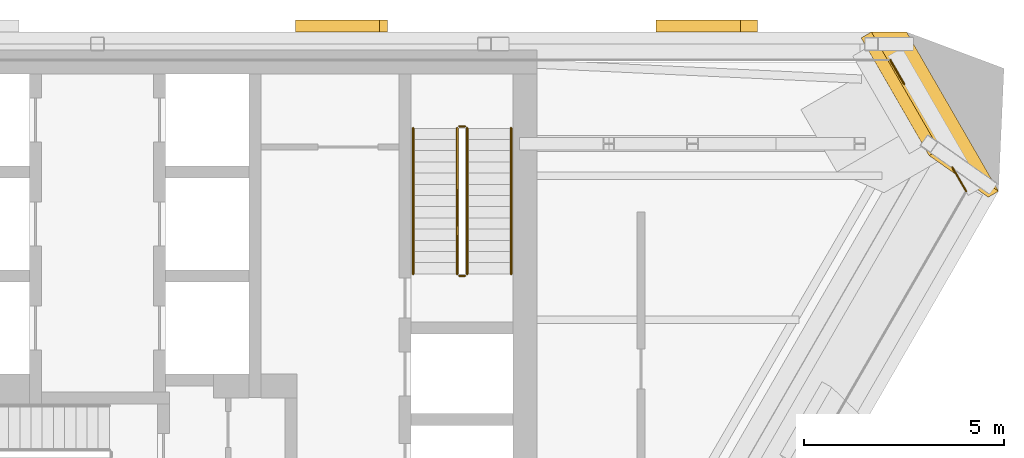
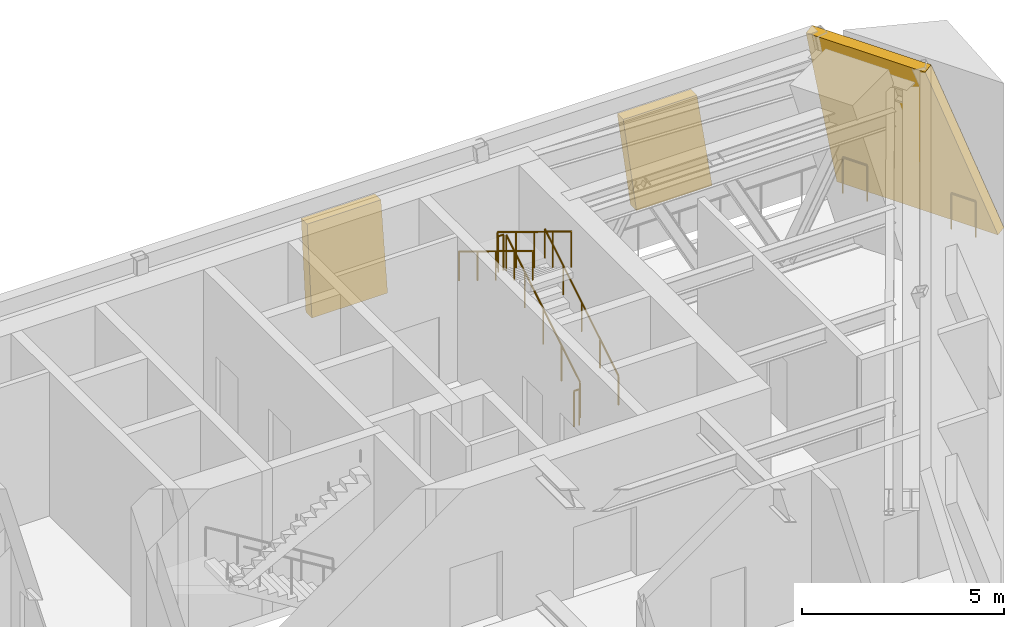
# One storey, part 11 of 11: 8 railings, 2 shading devices, 1 covering.
"""IFC4 building model written with IfcOpenShell, lengths in metres."""

from ifc_helpers import new_model, si_unit, direction, frame, origin, origin_2d, place, context, subcontext, project, spatial, polyline, circle, outline, extrude, material, layer, layer_set, type_object, element, save


model = new_model("IFC4")

# Units and contexts
model_context = context("Model", 3, precision=1e-05, world=origin(), true_north=direction((0.0, 1.0)))
body_context = subcontext(model_context, "Body", "Model", "MODEL_VIEW")
ifc_project = project(units=[si_unit("LENGTHUNIT", "METRE"), si_unit("AREAUNIT", "SQUARE_METRE"), si_unit("VOLUMEUNIT", "CUBIC_METRE"), si_unit("PLANEANGLEUNIT", "RADIAN"), si_unit("MASSUNIT", "GRAM", prefix="KILO")], contexts=[model_context])

# Site, building, storey
site_placement = place(None, origin())
site = spatial("IfcSite", under=ifc_project, at=site_placement, CompositionType="ELEMENT")
building_placement = place(site_placement, origin())
building = spatial("IfcBuilding", under=site, at=building_placement, Name="Aloe Facet Convention Tower", CompositionType="ELEMENT")
storey_placement = place(building_placement, frame((0.0, 0.0, 175.39990234375)))
storey = spatial("IfcBuildingStorey", under=building, at=storey_placement, Name="L44", CompositionType="ELEMENT", Elevation=175.39990234375)

# Railings
ifc_material_1 = material(Name="Steel S355 balustrade", Category="steel")
railing_type_1 = type_object("IfcRailingType", Name="CR-RL-GUARD", PredefinedType="GUARDRAIL", material=ifc_material_1)
railing_1_placement = place(storey_placement, frame((89.25, 128.949951171875, 0.171630859375)))
element("IfcRailing", 1, at=railing_1_placement, inside=storey, type_object=railing_type_1, Name="L44 ST2 stair guard 1", PredefinedType="GUARDRAIL", context=body_context, shape_type="SweptSolid", body=[
    extrude(circle(Radius=0.02392578125, at=origin_2d()), frame((0.0, 0.0, 1.076171875), z_axis=(0.0, 0.852865859571, 0.52213008492), x_axis=(-1.0, 0.0, 0.0)), (0.0, 0.0, 1.0), 4.26806640625),
    extrude(circle(Radius=0.02099609375, at=origin_2d()), origin(), (0.0, 0.0, 1.0), 1.052001953125),
    extrude(circle(Radius=0.02099609375, at=origin_2d()), frame((0.0, 0.91015625, 0.55712890625)), (0.0, 0.0, 1.0), 1.052001953125),
    extrude(circle(Radius=0.02099609375, at=origin_2d()), frame((0.0, 1.820068359375, 1.1142578125)), (0.0, 0.0, 1.0), 1.052001953125),
    extrude(circle(Radius=0.02099609375, at=origin_2d()), frame((0.0, 2.72998046875, 1.67138671875)), (0.0, 0.0, 1.0), 1.052001953125),
    extrude(circle(Radius=0.02099609375, at=origin_2d()), frame((0.0, 3.64013671875, 2.228515625)), (0.0, 0.0, 1.0), 1.052001953125),
])
railing_2_placement = place(storey_placement, frame((89.199951171875, 132.639892578125, 2.400146484375)))
element("IfcRailing", 2, at=railing_2_placement, inside=storey, type_object=railing_type_1, Name="L44 ST2 stair guard 2", PredefinedType="GUARDRAIL", context=body_context, shape_type="SweptSolid", body=[
    extrude(circle(Radius=0.02392578125, at=origin_2d()), frame((0.0, 0.0, 1.076171875), z_axis=(-1.0, 0.0, 0.0), x_axis=(0.0, -1.0, 0.0)), (0.0, 0.0, 1.0), 0.14990234375),
    extrude(circle(Radius=0.02099609375, at=origin_2d()), origin(), (0.0, 0.0, 1.0), 1.052001953125),
    extrude(circle(Radius=0.02099609375, at=origin_2d()), frame((-0.14990234375, 0.0, 0.0)), (0.0, 0.0, 1.0), 1.052001953125),
])
railing_3_placement = place(storey_placement, frame((89.0, 132.590087890625, 2.571533203125)))
element("IfcRailing", 3, at=railing_3_placement, inside=storey, type_object=railing_type_1, Name="L44 ST2 stair guard 3", PredefinedType="GUARDRAIL", context=body_context, shape_type="SweptSolid", body=[
    extrude(circle(Radius=0.02392578125, at=origin_2d()), frame((0.0, 0.0, 1.076171875), z_axis=(0.0, -0.852865859571, 0.52213008492), x_axis=(1.0, 0.0, 0.0)), (0.0, 0.0, 1.0), 4.26806640625),
    extrude(circle(Radius=0.02099609375, at=origin_2d()), origin(), (0.0, 0.0, 1.0), 1.052001953125),
    extrude(circle(Radius=0.02099609375, at=origin_2d()), frame((0.0, -0.91015625, 0.55712890625)), (0.0, 0.0, 1.0), 1.052001953125),
    extrude(circle(Radius=0.02099609375, at=origin_2d()), frame((0.0, -1.820068359375, 1.1142578125)), (0.0, 0.0, 1.0), 1.052001953125),
    extrude(circle(Radius=0.02099609375, at=origin_2d()), frame((0.0, -2.72998046875, 1.67138671875)), (0.0, 0.0, 1.0), 1.052001953125),
    extrude(circle(Radius=0.02099609375, at=origin_2d()), frame((0.0, -3.64013671875, 2.228515625)), (0.0, 0.0, 1.0), 1.052001953125),
])
railing_4_placement = place(storey_placement, frame((89.199951171875, 128.89990234375, 0.0)))
element("IfcRailing", 4, at=railing_4_placement, inside=storey, type_object=railing_type_1, Name="L44 ST2 stair guard 4", PredefinedType="GUARDRAIL", context=body_context, shape_type="SweptSolid", body=[
    extrude(circle(Radius=0.02392578125, at=origin_2d()), frame((0.0, 0.0, 1.076171875), z_axis=(-1.0, 0.0, 0.0), x_axis=(0.0, -1.0, 0.0)), (0.0, 0.0, 1.0), 0.14990234375),
    extrude(circle(Radius=0.02099609375, at=origin_2d()), origin(), (0.0, 0.0, 1.0), 1.052001953125),
    extrude(circle(Radius=0.02099609375, at=origin_2d()), frame((-0.14990234375, 0.0, 0.0)), (0.0, 0.0, 1.0), 1.052001953125),
])
ifc_material_2 = material(Name="Steel S355 handrail", Category="steel")
railing_type_2 = type_object("IfcRailingType", Name="CR-RL-HAND", PredefinedType="HANDRAIL", material=ifc_material_2)
railing_5_placement = place(storey_placement, frame((90.35009765625, 128.949951171875, 0.171630859375)))
element("IfcRailing", 5, at=railing_5_placement, inside=storey, type_object=railing_type_2, Name="L44 ST2 stair handrail 1", PredefinedType="HANDRAIL", context=body_context, shape_type="SweptSolid", body=[
    extrude(circle(Radius=0.02392578125, at=origin_2d()), frame((0.0, 0.0, 0.8759765625), z_axis=(0.0, 0.852865859571, 0.52213008492), x_axis=(-1.0, 0.0, 0.0)), (0.0, 0.0, 1.0), 4.26806640625),
    extrude(circle(Radius=0.02099609375, at=origin_2d()), origin(), (0.0, 0.0, 1.0), 0.851806640625),
    extrude(circle(Radius=0.02099609375, at=origin_2d()), frame((0.0, 0.91015625, 0.55712890625)), (0.0, 0.0, 1.0), 0.851806640625),
    extrude(circle(Radius=0.02099609375, at=origin_2d()), frame((0.0, 1.820068359375, 1.1142578125)), (0.0, 0.0, 1.0), 0.851806640625),
    extrude(circle(Radius=0.02099609375, at=origin_2d()), frame((0.0, 2.72998046875, 1.67138671875)), (0.0, 0.0, 1.0), 0.851806640625),
    extrude(circle(Radius=0.02099609375, at=origin_2d()), frame((0.0, 3.64013671875, 2.228515625)), (0.0, 0.0, 1.0), 0.851806640625),
])
railing_6_placement = place(storey_placement, frame((87.89990234375, 132.590087890625, 2.571533203125)))
element("IfcRailing", 6, at=railing_6_placement, inside=storey, type_object=railing_type_2, Name="L44 ST2 stair handrail 2", PredefinedType="HANDRAIL", context=body_context, shape_type="SweptSolid", body=[
    extrude(circle(Radius=0.02392578125, at=origin_2d()), frame((0.0, 0.0, 0.8759765625), z_axis=(0.0, -0.852865859571, 0.52213008492), x_axis=(1.0, 0.0, 0.0)), (0.0, 0.0, 1.0), 4.26806640625),
    extrude(circle(Radius=0.02099609375, at=origin_2d()), origin(), (0.0, 0.0, 1.0), 0.851806640625),
    extrude(circle(Radius=0.02099609375, at=origin_2d()), frame((0.0, -0.91015625, 0.55712890625)), (0.0, 0.0, 1.0), 0.851806640625),
    extrude(circle(Radius=0.02099609375, at=origin_2d()), frame((0.0, -1.820068359375, 1.1142578125)), (0.0, 0.0, 1.0), 0.851806640625),
    extrude(circle(Radius=0.02099609375, at=origin_2d()), frame((0.0, -2.72998046875, 1.67138671875)), (0.0, 0.0, 1.0), 0.851806640625),
    extrude(circle(Radius=0.02099609375, at=origin_2d()), frame((0.0, -3.64013671875, 2.228515625)), (0.0, 0.0, 1.0), 0.851806640625),
])

# Covering
ifc_material_3 = material(Name="Granite cladding, bronze anchors", Category="masonry")
ifc_layer_1 = layer(ifc_material_3, 0.300048828125)
ifc_layer_set_1 = layer_set([ifc_layer_1], Name="EV-CLAD-STONE")
covering_type = type_object("IfcCoveringType", Name="EV-CLAD-STONE", PredefinedType="CLADDING", material=ifc_layer_set_1)
covering_placement = place(storey_placement, frame((102.54296875, 131.016357421875, 0.0), z_axis=(0.855348238169, 0.493834150897, 0.156547829334), x_axis=(-0.499998365222, 0.866026347612, -4.249486e-06)))
element("IfcCovering", 7, at=covering_placement, inside=storey, type_object=covering_type, Name="CLADDING L44-C", PredefinedType="CLADDING", context=body_context, shape_type="SweptSolid", body=[
    extrude(outline(polyline([(0.0, 0.0), (4.599838016203043, -5.551115123125783e-17), (5.039147236732494, 4.859992103697565), (1.6389684296162839, 4.859957683348406), (0.0, 0.0)])), origin(), (0.0, 0.0, -1.0), 0.300048828125),
])

# Railings
ifc_material_4 = material(Name="Steel S355", Category="steel")
railing_type_3 = type_object("IfcRailingType", Name="EV-GUARD-PORTAL", PredefinedType="GUARDRAIL", material=ifc_material_4)
railing_7_placement = place(storey_placement, frame((99.8388671875, 134.300048828125, 0.0)))
element("IfcRailing", 8, at=railing_7_placement, inside=storey, type_object=railing_type_3, Name="GUARD L44-1", PredefinedType="GUARDRAIL", context=body_context, shape_type="SweptSolid", body=[
    extrude(circle(Radius=0.02392578125, at=origin_2d()), frame((0.0, 0.0, 1.076171875), z_axis=(0.499874285655, -0.86609797283, 0.0), x_axis=(0.86609797283, 0.499874285655, 0.0)), (0.0, 0.0, 1.0), 0.696044921875),
    extrude(circle(Radius=0.02099609375, at=origin_2d()), origin(), (0.0, 0.0, 1.0), 1.052001953125),
    extrude(circle(Radius=0.02099609375, at=origin_2d()), frame((0.347900390625, -0.602783203125, 0.0)), (0.0, 0.0, 1.0), 1.052001953125),
])
railing_8_placement = place(storey_placement, frame((101.386962890625, 131.618896484375, 0.0)))
element("IfcRailing", 9, at=railing_8_placement, inside=storey, type_object=railing_type_3, Name="GUARD L44-2", PredefinedType="GUARDRAIL", context=body_context, shape_type="SweptSolid", body=[
    extrude(circle(Radius=0.02392578125, at=origin_2d()), frame((0.0, 0.0, 1.076171875), z_axis=(0.500026194733, -0.86601027972, 0.0), x_axis=(0.86601027972, 0.500026194733, 0.0)), (0.0, 0.0, 1.0), 0.69580078125),
    extrude(circle(Radius=0.02099609375, at=origin_2d()), origin(), (0.0, 0.0, 1.0), 1.052001953125),
    extrude(circle(Radius=0.02099609375, at=origin_2d()), frame((0.347900390625, -0.6025390625, 0.0)), (0.0, 0.0, 1.0), 1.052001953125),
])

# Shading devices
ifc_material_5 = material(Name="Aluminium, anodised", Category="aluminium")
ifc_layer_2 = layer(ifc_material_5, 0.300048828125)
ifc_layer_set_2 = layer_set([ifc_layer_2], Name="EV-LOUVRE-BELT")
shading_device_type = type_object("IfcShadingDeviceType", Name="EV-LOUVRE-BELT", PredefinedType="JALOUSIE", material=ifc_layer_set_2)
shading_device_1_placement = place(storey_placement, frame((96.51708984375, 135.300048828125, 0.960205078125), z_axis=(0.0, 1.0, 0.0), x_axis=(-1.0, 0.0, 0.0)))
element("IfcShadingDevice", 10, at=shading_device_1_placement, inside=storey, type_object=shading_device_type, Name="LOUVRE L44-N02", PredefinedType="JALOUSIE", context=body_context, shape_type="SweptSolid", body=[
    extrude(outline(polyline([(0.0, 0.0), (2.1611328125, 0.0), (2.538330078125, 2.8798828125), (0.433837890625, 2.8798828125), (0.0, 0.0)])), origin(), (0.0, 0.0, -1.0), 0.300048828125),
])
shading_device_2_placement = place(storey_placement, frame((87.255126953125, 135.300048828125, 0.960205078125), z_axis=(0.0, 1.0, 0.0), x_axis=(-1.0, 0.0, 0.0)))
element("IfcShadingDevice", 11, at=shading_device_2_placement, inside=storey, type_object=shading_device_type, Name="LOUVRE L44-N05", PredefinedType="JALOUSIE", context=body_context, shape_type="SweptSolid", body=[
    extrude(outline(polyline([(0.0, 0.0), (2.1611328125, 0.0), (2.294921875, 2.8798828125), (0.190673828125, 2.8798828125), (0.0, 0.0)])), origin(), (0.0, 0.0, -1.0), 0.300048828125),
])

save(model, "model.ifc")
